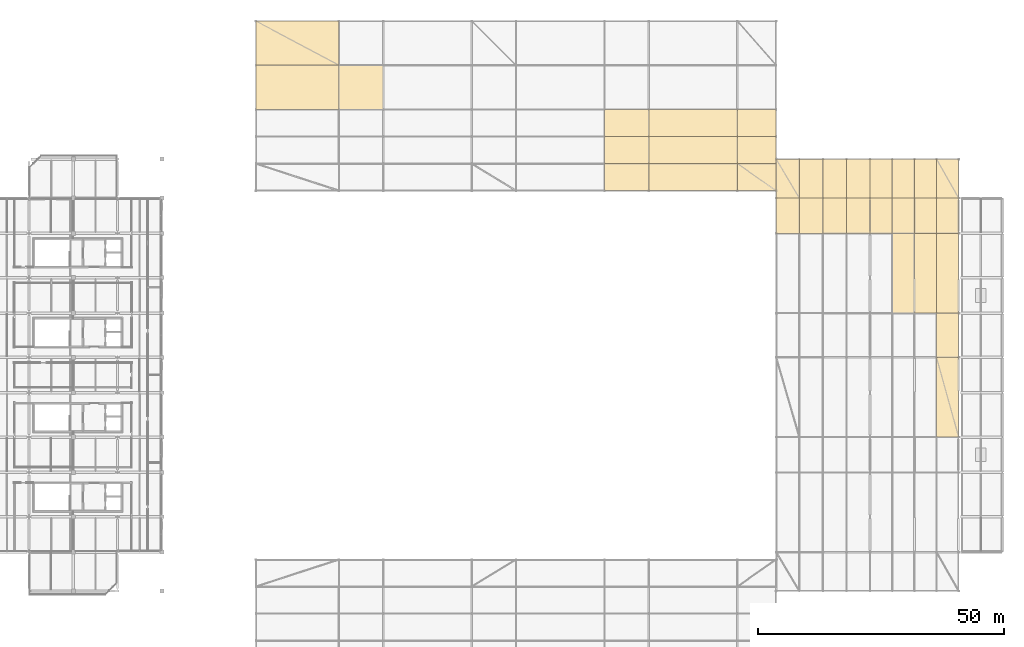
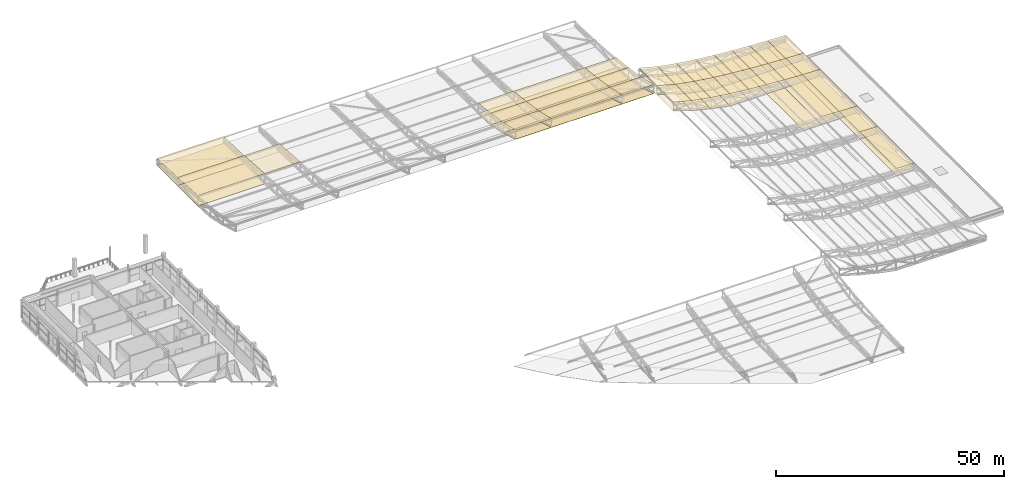
# One storey, part 113 of 114: 64 coverings, 4 elements without a shape of their own.
"""IFC4 building model written with IfcOpenShell, lengths in metres."""

from ifc_helpers import new_model, si_unit, direction, frame, origin, place, context, subcontext, project, spatial, polyline, outline, extrude, material, layer, layer_set, type_object, element, aggregate, save


model = new_model("IFC4")

# Units and contexts
model_context = context("Model", 3, precision=1e-05, world=origin(), true_north=direction((0.0, 1.0)))
body_context = subcontext(model_context, "Body", "Model", "MODEL_VIEW")
ifc_project = project(units=[si_unit("LENGTHUNIT", "METRE"), si_unit("AREAUNIT", "SQUARE_METRE"), si_unit("VOLUMEUNIT", "CUBIC_METRE"), si_unit("PLANEANGLEUNIT", "RADIAN"), si_unit("MASSUNIT", "GRAM", prefix="KILO"), si_unit("THERMODYNAMICTEMPERATUREUNIT", "KELVIN"), si_unit("POWERUNIT", "WATT")], contexts=[model_context])

# Site, building, storey
site_placement = place(None, origin())
site = spatial("IfcSite", under=ifc_project, at=site_placement, CompositionType="ELEMENT")
building_placement = place(site_placement, origin())
building = spatial("IfcBuilding", under=site, at=building_placement, Name="Sindhuravela Promenade Stadium", CompositionType="ELEMENT")
storey_placement = place(building_placement, frame((0.0, 0.0, 24.0)))
storey = spatial("IfcBuildingStorey", under=building, at=storey_placement, Name="L05", CompositionType="ELEMENT", Elevation=24.0)

# Roof, covering
ifc_material_1 = material(Name="Standing-seam zinc-aluminium roof sheet", Category="aluminium")
roof_type_1 = type_object("IfcRoofType", Name="RF-BARREL-E", PredefinedType="BARREL_ROOF", material=ifc_material_1)
roof_1_placement = place(storey_placement, origin())
roof_1 = element("IfcRoof", 1, at=roof_1_placement, inside=storey, type_object=roof_type_1, Name="Cantilevered stand roof assembly E-1", PredefinedType="BARREL_ROOF")
ifc_layer_1 = layer(ifc_material_1, 0.044921875)
ifc_layer_set_1 = layer_set([ifc_layer_1], Name="Standing-seam zinc-aluminium roof sheet")
covering_type_1 = type_object("IfcCoveringType", Name="CV-ROOF-E", PredefinedType="ROOFING", material=ifc_layer_set_1)
covering_1_placement = place(storey_placement, frame((198.0, 68.39990234375, 1.530029296875), z_axis=(0.029013388526599376, 0.0, 0.9995790230322986), x_axis=(0.0, 1.0, 0.0)))
covering_1 = element("IfcCovering", 2, at=covering_1_placement, type_object=covering_type_1, Name="Standing-seam roof covering E bay 4.1", PredefinedType="ROOFING", context=body_context, shape_type="SweptSolid", body=[
    extrude(outline(polyline([(0.0, 0.0), (16.2001953125, 0.0), (16.2001953125, 4.5018951941877585), (0.0, 4.5018951941877585), (0.0, 0.0)])), origin(), (0.0, 0.0, -1.0), 0.044921875),
])
aggregate(roof_1, [covering_1])

# Roof, coverings
roof_2_placement = place(storey_placement, origin())
roof_2 = element("IfcRoof", 3, at=roof_2_placement, inside=storey, type_object=roof_type_1, Name="Cantilevered stand roof assembly E-2", PredefinedType="BARREL_ROOF")
covering_2_placement = place(storey_placement, frame((198.0, 84.60009765625, 1.530029296875), z_axis=(0.02901338852659938, 0.0, 0.9995790230322986), x_axis=(0.0, 1.0, 0.0)))
covering_2 = element("IfcCovering", 4, at=covering_2_placement, type_object=covering_type_1, Name="Standing-seam roof covering E bay 5.1", PredefinedType="ROOFING", context=body_context, shape_type="SweptSolid", body=[
    extrude(outline(polyline([(0.0, 0.0), (9.0, 0.0), (9.0, 4.5018951941877585), (0.0, 4.5018951941877585), (0.0, 0.0)])), origin(), (0.0, 0.0, -1.0), 0.044921875),
])
covering_3_placement = place(storey_placement, frame((198.0, 93.60009765625, 1.530029296875), z_axis=(0.029013388526599376, 0.0, 0.9995790230322985), x_axis=(0.0, 1.0, 0.0)))
covering_3 = element("IfcCovering", 5, at=covering_3_placement, type_object=covering_type_1, Name="Standing-seam roof covering E bay 6.1", PredefinedType="ROOFING", context=body_context, shape_type="SweptSolid", body=[
    extrude(outline(polyline([(0.0, 0.0), (16.199951171875, 0.0), (16.199951171875, 4.501895194187758), (0.0, 4.501895194187758), (0.0, 0.0)])), origin(), (0.0, 0.0, -1.0), 0.044921875),
])
covering_4_placement = place(storey_placement, frame((193.5, 93.60009765625, 1.66064453125), z_axis=(0.044011133083803756, 0.0, 0.9990310406412203), x_axis=(0.0, 1.0, 0.0)))
covering_4 = element("IfcCovering", 6, at=covering_4_placement, type_object=covering_type_1, Name="Standing-seam roof covering E bay 6.2", PredefinedType="ROOFING", context=body_context, shape_type="SweptSolid", body=[
    extrude(outline(polyline([(0.0, 0.0), (16.199951171875, 0.0), (16.199951171875, 4.504364546182378), (0.0, 4.504364546182378), (0.0, 0.0)])), origin(), (0.0, 0.0, -1.0), 0.044921875),
])
covering_5_placement = place(storey_placement, frame((198.0, 109.800048828125, 1.530029296875), z_axis=(0.02901338852659938, 0.0, 0.9995790230322986), x_axis=(0.0, 1.0, 0.0)))
covering_5 = element("IfcCovering", 7, at=covering_5_placement, type_object=covering_type_1, Name="Standing-seam roof covering E bay 7.1", PredefinedType="ROOFING", context=body_context, shape_type="SweptSolid", body=[
    extrude(outline(polyline([(0.0, 0.0), (7.199951171875, 0.0), (7.199951171875, 4.5018951941877585), (0.0, 4.5018951941877585), (0.0, 0.0)])), origin(), (0.0, 0.0, -1.0), 0.044921875),
])
covering_6_placement = place(storey_placement, frame((193.5, 109.800048828125, 1.66064453125), z_axis=(0.04401113308380376, 0.0, 0.9990310406412204), x_axis=(0.0, 1.0, 0.0)))
covering_6 = element("IfcCovering", 8, at=covering_6_placement, type_object=covering_type_1, Name="Standing-seam roof covering E bay 7.2", PredefinedType="ROOFING", context=body_context, shape_type="SweptSolid", body=[
    extrude(outline(polyline([(0.0, 0.0), (7.199951171875, 0.0), (7.199951171875, 4.504364546182379), (0.0, 4.504364546182379), (0.0, 0.0)])), origin(), (0.0, 0.0, -1.0), 0.044921875),
])
covering_7_placement = place(storey_placement, frame((189.0, 109.800048828125, 1.85888671875), z_axis=(0.060436199081064255, 0.0, 0.9981720622420935), x_axis=(0.0, 1.0, 0.0)))
covering_7 = element("IfcCovering", 9, at=covering_7_placement, type_object=covering_type_1, Name="Standing-seam roof covering E bay 7.3", PredefinedType="ROOFING", context=body_context, shape_type="SweptSolid", body=[
    extrude(outline(polyline([(0.0, 0.0), (7.199951171875, 0.0), (7.199951171875, 4.508240783549985), (0.0, 4.508240783549985), (0.0, 0.0)])), origin(), (0.0, 0.0, -1.0), 0.044921875),
])
covering_8_placement = place(storey_placement, frame((184.5, 109.800048828125, 2.13134765625), z_axis=(0.07896274138457582, 0.0, 0.9968775679455489), x_axis=(0.0, 1.0, 0.0)))
covering_8 = element("IfcCovering", 10, at=covering_8_placement, type_object=covering_type_1, Name="Standing-seam roof covering E bay 7.4", PredefinedType="ROOFING", context=body_context, shape_type="SweptSolid", body=[
    extrude(outline(polyline([(0.0, 0.0), (7.199951171875, 0.0), (7.199951171875, 4.514094954783652), (0.0, 4.514094954783652), (0.0, 0.0)])), origin(), (0.0, 0.0, -1.0), 0.044921875),
])
covering_9_placement = place(storey_placement, frame((180.0, 109.800048828125, 2.48779296875), z_axis=(0.10190304617894301, 0.0, 0.9947943351162852), x_axis=(0.0, 1.0, 0.0)))
covering_9 = element("IfcCovering", 11, at=covering_9_placement, type_object=covering_type_1, Name="Standing-seam roof covering E bay 7.5", PredefinedType="ROOFING", context=body_context, shape_type="SweptSolid", body=[
    extrude(outline(polyline([(0.0, 0.0), (7.199951171875, 0.0), (7.199951171875, 4.825167030694745), (0.0, 4.825167030694745), (0.0, 0.0)])), origin(), (0.0, 0.0, -1.0), 0.044921875),
])
covering_10_placement = place(storey_placement, frame((175.199951171875, 109.800048828125, 2.9794921875), z_axis=(0.1322396730802035, 0.0, 0.9912177706556925), x_axis=(0.0, 1.0, 0.0)))
covering_10 = element("IfcCovering", 12, at=covering_10_placement, type_object=covering_type_1, Name="Standing-seam roof covering E bay 7.6", PredefinedType="ROOFING", context=body_context, shape_type="SweptSolid", body=[
    extrude(outline(polyline([(0.0, 0.0), (7.199951171875, 0.0), (7.199951171875, 4.842577453943101), (0.0, 4.842577453943101), (0.0, 0.0)])), origin(), (0.0, 0.0, -1.0), 0.044921875),
])
covering_11_placement = place(storey_placement, frame((170.39990234375, 109.800048828125, 3.619873046875), z_axis=(0.17653223173388988, 0.0, 0.9842948598662152), x_axis=(0.0, 1.0, 0.0)))
covering_11 = element("IfcCovering", 13, at=covering_11_placement, type_object=covering_type_1, Name="Standing-seam roof covering E bay 7.7", PredefinedType="ROOFING", context=body_context, shape_type="SweptSolid", body=[
    extrude(outline(polyline([(0.0, 0.0), (7.199951171875, 0.0), (7.199951171875, 4.876389061050656), (0.0, 4.876389061050656), (0.0, 0.0)])), origin(), (0.0, 0.0, -1.0), 0.044921875),
])
covering_12_placement = place(storey_placement, frame((165.60009765625, 109.800048828125, 4.480712890625), z_axis=(0.2568720746349965, 0.0, 0.9664454134987205), x_axis=(0.0, 1.0, 0.0)))
covering_12 = element("IfcCovering", 14, at=covering_12_placement, type_object=covering_type_1, Name="Standing-seam roof covering E bay 7.8", PredefinedType="ROOFING", context=body_context, shape_type="SweptSolid", body=[
    extrude(outline(polyline([(0.0, 0.0), (7.199951171875, 0.0), (7.199951171875, 4.8633841568810166), (0.0, 4.8633841568810166), (0.0, 0.0)])), origin(), (0.0, 0.0, -1.0), 0.044921875),
])
covering_13_placement = place(storey_placement, frame((198.0, 117.0, 1.530029296875), z_axis=(0.029013388526599376, 0.0, 0.9995790230322985), x_axis=(0.0, 1.0, 0.0)))
covering_13 = element("IfcCovering", 15, at=covering_13_placement, type_object=covering_type_1, Name="Standing-seam roof covering E bay 8.1", PredefinedType="ROOFING", context=body_context, shape_type="SweptSolid", body=[
    extrude(outline(polyline([(0.0, 0.0), (7.89990234375, 0.0), (7.89990234375, 4.501895194187758), (0.0, 4.501895194187758), (0.0, 0.0)])), origin(), (0.0, 0.0, -1.0), 0.044921875),
])
covering_14_placement = place(storey_placement, frame((193.5, 117.0, 1.66064453125), z_axis=(0.044011133083803756, 0.0, 0.9990310406412203), x_axis=(0.0, 1.0, 0.0)))
covering_14 = element("IfcCovering", 16, at=covering_14_placement, type_object=covering_type_1, Name="Standing-seam roof covering E bay 8.2", PredefinedType="ROOFING", context=body_context, shape_type="SweptSolid", body=[
    extrude(outline(polyline([(0.0, 0.0), (7.89990234375, 0.0), (7.89990234375, 4.504364546182378), (0.0, 4.504364546182378), (0.0, 0.0)])), origin(), (0.0, 0.0, -1.0), 0.044921875),
])
covering_15_placement = place(storey_placement, frame((189.0, 117.0, 1.85888671875), z_axis=(0.060436199081064255, 0.0, 0.9981720622420935), x_axis=(0.0, 1.0, 0.0)))
covering_15 = element("IfcCovering", 17, at=covering_15_placement, type_object=covering_type_1, Name="Standing-seam roof covering E bay 8.3", PredefinedType="ROOFING", context=body_context, shape_type="SweptSolid", body=[
    extrude(outline(polyline([(0.0, 0.0), (7.89990234375, 0.0), (7.89990234375, 4.508240783549985), (0.0, 4.508240783549985), (0.0, 0.0)])), origin(), (0.0, 0.0, -1.0), 0.044921875),
])
covering_16_placement = place(storey_placement, frame((184.5, 117.0, 2.13134765625), z_axis=(0.07896274138457582, 0.0, 0.996877567945549), x_axis=(0.0, 1.0, 0.0)))
covering_16 = element("IfcCovering", 18, at=covering_16_placement, type_object=covering_type_1, Name="Standing-seam roof covering E bay 8.4", PredefinedType="ROOFING", context=body_context, shape_type="SweptSolid", body=[
    extrude(outline(polyline([(0.0, 0.0), (7.89990234375, 0.0), (7.89990234375, 4.514094954783653), (0.0, 4.514094954783653), (0.0, 0.0)])), origin(), (0.0, 0.0, -1.0), 0.044921875),
])
covering_17_placement = place(storey_placement, frame((180.0, 117.0, 2.48779296875), z_axis=(0.10190304617894302, 0.0, 0.9947943351162855), x_axis=(0.0, 1.0, 0.0)))
covering_17 = element("IfcCovering", 19, at=covering_17_placement, type_object=covering_type_1, Name="Standing-seam roof covering E bay 8.5", PredefinedType="ROOFING", context=body_context, shape_type="SweptSolid", body=[
    extrude(outline(polyline([(0.0, 0.0), (7.89990234375, 0.0), (7.89990234375, 4.825167030694747), (0.0, 4.825167030694747), (0.0, 0.0)])), origin(), (0.0, 0.0, -1.0), 0.044921875),
])
covering_18_placement = place(storey_placement, frame((175.199951171875, 117.0, 2.9794921875), z_axis=(0.1322396730802035, 0.0, 0.9912177706556925), x_axis=(0.0, 1.0, 0.0)))
covering_18 = element("IfcCovering", 20, at=covering_18_placement, type_object=covering_type_1, Name="Standing-seam roof covering E bay 8.6", PredefinedType="ROOFING", context=body_context, shape_type="SweptSolid", body=[
    extrude(outline(polyline([(0.0, 0.0), (7.89990234375, 0.0), (7.89990234375, 4.842577453943101), (0.0, 4.842577453943101), (0.0, 0.0)])), origin(), (0.0, 0.0, -1.0), 0.044921875),
])
covering_19_placement = place(storey_placement, frame((170.39990234375, 117.0, 3.619873046875), z_axis=(0.17653223173388988, 0.0, 0.9842948598662152), x_axis=(0.0, 1.0, 0.0)))
covering_19 = element("IfcCovering", 21, at=covering_19_placement, type_object=covering_type_1, Name="Standing-seam roof covering E bay 8.7", PredefinedType="ROOFING", context=body_context, shape_type="SweptSolid", body=[
    extrude(outline(polyline([(0.0, 0.0), (7.89990234375, 0.0), (7.89990234375, 4.876389061050656), (0.0, 4.876389061050656), (0.0, 0.0)])), origin(), (0.0, 0.0, -1.0), 0.044921875),
])
covering_20_placement = place(storey_placement, frame((165.60009765625, 117.0, 4.480712890625), z_axis=(0.2568720746349965, 0.0, 0.9664454134987204), x_axis=(0.0, 1.0, 0.0)))
covering_20 = element("IfcCovering", 22, at=covering_20_placement, type_object=covering_type_1, Name="Standing-seam roof covering E bay 8.8", PredefinedType="ROOFING", context=body_context, shape_type="SweptSolid", body=[
    extrude(outline(polyline([(0.0, 0.0), (7.89990234375, 0.0), (7.89990234375, 4.8633841568810166), (0.0, 4.8633841568810166), (0.0, 0.0)])), origin(), (0.0, 0.0, -1.0), 0.044921875),
])
aggregate(roof_2, [covering_2, covering_3, covering_4, covering_5, covering_6, covering_7, covering_8, covering_9, covering_10, covering_11, covering_12, covering_13, covering_14, covering_15, covering_16, covering_17, covering_18, covering_19, covering_20])

roof_type_2 = type_object("IfcRoofType", Name="RF-BARREL-N", PredefinedType="BARREL_ROOF", material=ifc_material_1)
roof_3_placement = place(storey_placement, origin())
roof_3 = element("IfcRoof", 23, at=roof_3_placement, inside=storey, type_object=roof_type_2, Name="Cantilevered stand roof assembly N-1", PredefinedType="BARREL_ROOF")
ifc_layer_2 = layer(ifc_material_1, 0.044921875)
ifc_layer_set_2 = layer_set([ifc_layer_2], Name="Standing-seam zinc-aluminium roof sheet")
covering_type_2 = type_object("IfcCoveringType", Name="CV-ROOF-N", PredefinedType="ROOFING", material=ifc_layer_set_2)
covering_21_placement = place(storey_placement, frame((55.10009765625, 153.0, 1.510009765625), z_axis=(0.0, 0.03632583546850814, 0.9993399990381224), x_axis=(1.0, 0.0, 0.0)))
covering_21 = element("IfcCovering", 24, at=covering_21_placement, type_object=covering_type_2, Name="Standing-seam roof covering N bay 1.1", PredefinedType="ROOFING", context=body_context, shape_type="SweptSolid", body=[
    extrude(outline(polyline([(0.0, 0.0), (0.0, -9.005943931657507), (16.89990234375, -9.005943931657507), (16.89990234375, 0.0), (0.0, 0.0)])), origin(), (0.0, 0.0, -1.0), 0.044921875),
])
covering_22_placement = place(storey_placement, frame((55.10009765625, 144.0, 1.837158203125), z_axis=(0.0, 0.07048937017679614, 0.9975125305940165), x_axis=(1.0, 0.0, 0.0)))
covering_22 = element("IfcCovering", 25, at=covering_22_placement, type_object=covering_type_2, Name="Standing-seam roof covering N bay 1.2", PredefinedType="ROOFING", context=body_context, shape_type="SweptSolid", body=[
    extrude(outline(polyline([(0.0, 0.0), (0.0, -9.022443051056733), (16.89990234375, -9.022443051056733), (16.89990234375, 0.0), (0.0, 0.0)])), origin(), (0.0, 0.0, -1.0), 0.044921875),
])
covering_23_placement = place(storey_placement, frame((72.0, 144.0, 1.837158203125), z_axis=(0.0, 0.07048937017679614, 0.9975125305940165), x_axis=(1.0, 0.0, 0.0)))
covering_23 = element("IfcCovering", 26, at=covering_23_placement, type_object=covering_type_2, Name="Standing-seam roof covering N bay 2.2", PredefinedType="ROOFING", context=body_context, shape_type="SweptSolid", body=[
    extrude(outline(polyline([(0.0, 0.0), (0.0, -9.022443051056733), (9.0, -9.022443051056733), (9.0, 0.0), (0.0, 0.0)])), origin(), (0.0, 0.0, -1.0), 0.044921875),
])
aggregate(roof_3, [covering_21, covering_22, covering_23])

roof_4_placement = place(storey_placement, origin())
roof_4 = element("IfcRoof", 27, at=roof_4_placement, inside=storey, type_object=roof_type_2, Name="Cantilevered stand roof assembly N-2", PredefinedType="BARREL_ROOF")
covering_24_placement = place(storey_placement, frame((126.0, 135.0, 2.47314453125), z_axis=(0.0, 0.1065455909441987, 0.9943078180575428), x_axis=(1.0, 0.0, 0.0)))
covering_24 = element("IfcCovering", 28, at=covering_24_placement, type_object=covering_type_2, Name="Standing-seam roof covering N bay 6.3", PredefinedType="ROOFING", context=body_context, shape_type="SweptSolid", body=[
    extrude(outline(polyline([(0.0, 0.0), (0.0, -5.531486226010649), (9.0, -5.531486226010649), (9.0, 0.0), (0.0, 0.0)])), origin(), (0.0, 0.0, -1.0), 0.044921875),
])
covering_25_placement = place(storey_placement, frame((126.0, 129.5, 3.0625), z_axis=(0.0, 0.14687168523012892, 0.9891555530237203), x_axis=(1.0, 0.0, 0.0)))
covering_25 = element("IfcCovering", 29, at=covering_25_placement, type_object=covering_type_2, Name="Standing-seam roof covering N bay 6.4", PredefinedType="ROOFING", context=body_context, shape_type="SweptSolid", body=[
    extrude(outline(polyline([(0.0, 0.0), (0.0, -5.560298360745398), (9.0, -5.560298360745398), (9.0, 0.0), (0.0, 0.0)])), origin(), (0.0, 0.0, -1.0), 0.044921875),
])
covering_26_placement = place(storey_placement, frame((126.0, 124.0, 3.879150390625), z_axis=(0.0, 0.2184070831753663, 0.9758577488644689), x_axis=(1.0, 0.0, 0.0)))
covering_26 = element("IfcCovering", 30, at=covering_26_placement, type_object=covering_type_2, Name="Standing-seam roof covering N bay 6.5", PredefinedType="ROOFING", context=body_context, shape_type="SweptSolid", body=[
    extrude(outline(polyline([(0.0, 0.0), (0.0, -5.6360673534640995), (9.0, -5.6360673534640995), (9.0, 0.0), (0.0, 0.0)])), origin(), (0.0, 0.0, -1.0), 0.044921875),
])
covering_27_placement = place(storey_placement, frame((135.0, 135.0, 2.47314453125), z_axis=(0.0, 0.1065455909441987, 0.9943078180575428), x_axis=(1.0, 0.0, 0.0)))
covering_27 = element("IfcCovering", 31, at=covering_27_placement, type_object=covering_type_2, Name="Standing-seam roof covering N bay 7.3", PredefinedType="ROOFING", context=body_context, shape_type="SweptSolid", body=[
    extrude(outline(polyline([(0.0, 0.0), (0.0, -5.531486226010649), (18.0, -5.531486226010649), (18.0, 0.0), (0.0, 0.0)])), origin(), (0.0, 0.0, -1.0), 0.044921875),
])
covering_28_placement = place(storey_placement, frame((135.0, 129.5, 3.0625), z_axis=(0.0, 0.14687168523012892, 0.9891555530237203), x_axis=(1.0, 0.0, 0.0)))
covering_28 = element("IfcCovering", 32, at=covering_28_placement, type_object=covering_type_2, Name="Standing-seam roof covering N bay 7.4", PredefinedType="ROOFING", context=body_context, shape_type="SweptSolid", body=[
    extrude(outline(polyline([(0.0, 0.0), (0.0, -5.560298360745398), (18.0, -5.560298360745398), (18.0, 0.0), (0.0, 0.0)])), origin(), (0.0, 0.0, -1.0), 0.044921875),
])
covering_29_placement = place(storey_placement, frame((135.0, 124.0, 3.879150390625), z_axis=(0.0, 0.2184070831753663, 0.9758577488644689), x_axis=(1.0, 0.0, 0.0)))
covering_29 = element("IfcCovering", 33, at=covering_29_placement, type_object=covering_type_2, Name="Standing-seam roof covering N bay 7.5", PredefinedType="ROOFING", context=body_context, shape_type="SweptSolid", body=[
    extrude(outline(polyline([(0.0, 0.0), (0.0, -5.6360673534640995), (18.0, -5.6360673534640995), (18.0, 0.0), (0.0, 0.0)])), origin(), (0.0, 0.0, -1.0), 0.044921875),
])
covering_30_placement = place(storey_placement, frame((153.0, 135.0, 2.47314453125), z_axis=(0.0, 0.10654559094419869, 0.9943078180575426), x_axis=(1.0, 0.0, 0.0)))
covering_30 = element("IfcCovering", 34, at=covering_30_placement, type_object=covering_type_2, Name="Standing-seam roof covering N bay 8.3", PredefinedType="ROOFING", context=body_context, shape_type="SweptSolid", body=[
    extrude(outline(polyline([(0.0, 0.0), (0.0, -5.5314862260106485), (7.89990234375, -5.5314862260106485), (7.89990234375, 0.0), (0.0, 0.0)])), origin(), (0.0, 0.0, -1.0), 0.044921875),
])
covering_31_placement = place(storey_placement, frame((153.0, 129.5, 3.0625), z_axis=(0.0, 0.14687168523012892, 0.9891555530237204), x_axis=(1.0, 0.0, 0.0)))
covering_31 = element("IfcCovering", 35, at=covering_31_placement, type_object=covering_type_2, Name="Standing-seam roof covering N bay 8.4", PredefinedType="ROOFING", context=body_context, shape_type="SweptSolid", body=[
    extrude(outline(polyline([(0.0, 0.0), (0.0, -5.560298360745398), (7.89990234375, -5.560298360745398), (7.89990234375, 0.0), (0.0, 0.0)])), origin(), (0.0, 0.0, -1.0), 0.044921875),
])
covering_32_placement = place(storey_placement, frame((153.0, 124.0, 3.879150390625), z_axis=(0.0, 0.21840708317536628, 0.9758577488644687), x_axis=(1.0, 0.0, 0.0)))
covering_32 = element("IfcCovering", 36, at=covering_32_placement, type_object=covering_type_2, Name="Standing-seam roof covering N bay 8.5", PredefinedType="ROOFING", context=body_context, shape_type="SweptSolid", body=[
    extrude(outline(polyline([(0.0, 0.0), (0.0, -5.6360673534640995), (7.89990234375, -5.6360673534640995), (7.89990234375, 0.0), (0.0, 0.0)])), origin(), (0.0, 0.0, -1.0), 0.044921875),
])
aggregate(roof_4, [covering_24, covering_25, covering_26, covering_27, covering_28, covering_29, covering_30, covering_31, covering_32])

# Coverings
ifc_material_2 = material(Name="White PVDF aluminium soffit cladding", Category="aluminium")
ifc_layer_3 = layer(ifc_material_2, 0.034912109375)
ifc_layer_set_3 = layer_set([ifc_layer_3], Name="White PVDF aluminium soffit cladding")
covering_type_3 = type_object("IfcCoveringType", Name="CV-SOFFIT-E", PredefinedType="CEILING", material=ifc_layer_set_3)
covering_33_placement = place(storey_placement, frame((198.0, 68.39990234375, -0.300048828125), z_axis=(0.0, 0.0, 1.0), x_axis=(0.0, 1.0, 0.0)))
element("IfcCovering", 37, at=covering_33_placement, inside=storey, type_object=covering_type_3, Name="Smooth white canopy soffit cladding E bay 4.1", PredefinedType="CEILING", context=body_context, shape_type="SweptSolid", body=[
    extrude(outline(polyline([(0.0, 0.0), (16.2001953125, 0.0), (16.2001953125, 4.5), (0.0, 4.5), (0.0, 0.0)])), origin(), (0.0, 0.0, -1.0), 0.034912109375),
])
covering_34_placement = place(storey_placement, frame((198.0, 84.60009765625, -0.300048828125), z_axis=(0.0, 0.0, 1.0), x_axis=(0.0, 1.0, 0.0)))
element("IfcCovering", 38, at=covering_34_placement, inside=storey, type_object=covering_type_3, Name="Smooth white canopy soffit cladding E bay 5.1", PredefinedType="CEILING", context=body_context, shape_type="SweptSolid", body=[
    extrude(outline(polyline([(0.0, 0.0), (9.0, 0.0), (9.0, 4.5), (0.0, 4.5), (0.0, 0.0)])), origin(), (0.0, 0.0, -1.0), 0.034912109375),
])
for number, where, z_axis, x_axis, name in (
    (39, (198.0, 93.60009765625, -0.300048828125), (0.0, 0.0, 1.0), (0.0, 1.0, 0.0), "Smooth white canopy soffit cladding E bay 6.1"),
    (40, (193.5, 93.60009765625, -0.300048828125), (0.0, 0.0, 1.0), (0.0, 1.0, 0.0), "Smooth white canopy soffit cladding E bay 6.2"),
    (41, (189.0, 93.60009765625, -0.300048828125), (0.0, 0.0, 1.0), (0.0, 1.0, 0.0), "Smooth white canopy soffit cladding E bay 6.3"),
):
    element("IfcCovering", number, at=place(storey_placement, frame(where, z_axis=z_axis, x_axis=x_axis)), inside=storey, type_object=covering_type_3, Name=name, PredefinedType="CEILING", context=body_context, shape_type="SweptSolid", body=[
        extrude(outline(polyline([(0.0, 0.0), (16.199951171875, 0.0), (16.199951171875, 4.5), (0.0, 4.5), (0.0, 0.0)])), origin(), (0.0, 0.0, -1.0), 0.034912109375),
    ])
for number, where, z_axis, x_axis, name in (
    (42, (198.0, 109.800048828125, -0.300048828125), (0.0, 0.0, 1.0), (0.0, 1.0, 0.0), "Smooth white canopy soffit cladding E bay 7.1"),
    (43, (193.5, 109.800048828125, -0.300048828125), (0.0, 0.0, 1.0), (0.0, 1.0, 0.0), "Smooth white canopy soffit cladding E bay 7.2"),
    (44, (189.0, 109.800048828125, -0.300048828125), (0.0, 0.0, 1.0), (0.0, 1.0, 0.0), "Smooth white canopy soffit cladding E bay 7.3"),
    (45, (184.5, 109.800048828125, -0.300048828125), (0.0, 0.0, 1.0), (0.0, 1.0, 0.0), "Smooth white canopy soffit cladding E bay 7.4"),
):
    element("IfcCovering", number, at=place(storey_placement, frame(where, z_axis=z_axis, x_axis=x_axis)), inside=storey, type_object=covering_type_3, Name=name, PredefinedType="CEILING", context=body_context, shape_type="SweptSolid", body=[
        extrude(outline(polyline([(0.0, 0.0), (7.199951171875, 0.0), (7.199951171875, 4.5), (0.0, 4.5), (0.0, 0.0)])), origin(), (0.0, 0.0, -1.0), 0.034912109375),
    ])
covering_35_placement = place(storey_placement, frame((180.0, 109.800048828125, -0.300048828125), z_axis=(0.006713647583757803, 0.0, 0.9999774632141073), x_axis=(0.0, 1.0, 0.0)))
element("IfcCovering", 46, at=covering_35_placement, inside=storey, type_object=covering_type_3, Name="Smooth white canopy soffit cladding E bay 7.5", PredefinedType="CEILING", context=body_context, shape_type="SweptSolid", body=[
    extrude(outline(polyline([(0.0, 0.0), (7.199951171875, 0.0), (7.199951171875, 4.800157008235747), (0.0, 4.800157008235747), (0.0, 0.0)])), origin(), (0.0, 0.0, -1.0), 0.034912109375),
])
covering_36_placement = place(storey_placement, frame((175.199951171875, 109.800048828125, -0.267822265625), z_axis=(0.18884924617406632, 0.0, 0.9820060907242311), x_axis=(0.0, 1.0, 0.0)))
element("IfcCovering", 47, at=covering_36_placement, inside=storey, type_object=covering_type_3, Name="Smooth white canopy soffit cladding E bay 7.6", PredefinedType="CEILING", context=body_context, shape_type="SweptSolid", body=[
    extrude(outline(polyline([(0.0, 0.0), (7.199951171875, 0.0), (7.199951171875, 4.8880031126741335), (0.0, 4.8880031126741335), (0.0, 0.0)])), origin(), (0.0, 0.0, -1.0), 0.034912109375),
])
covering_37_placement = place(storey_placement, frame((170.39990234375, 109.800048828125, 0.6552734375), z_axis=(0.2318100516051311, 0.0, 0.9727610703429834), x_axis=(0.0, 1.0, 0.0)))
element("IfcCovering", 48, at=covering_37_placement, inside=storey, type_object=covering_type_3, Name="Smooth white canopy soffit cladding E bay 7.7", PredefinedType="CEILING", context=body_context, shape_type="SweptSolid", body=[
    extrude(outline(polyline([(0.0, 0.0), (7.199951171875, 0.0), (7.199951171875, 4.934207210623314), (0.0, 4.934207210623314), (0.0, 0.0)])), origin(), (0.0, 0.0, -1.0), 0.034912109375),
])
covering_38_placement = place(storey_placement, frame((165.60009765625, 109.800048828125, 1.799072265625), z_axis=(0.308777732190374, 0.0, 0.951134224020653), x_axis=(0.0, 1.0, 0.0)))
element("IfcCovering", 49, at=covering_38_placement, inside=storey, type_object=covering_type_3, Name="Smooth white canopy soffit cladding E bay 7.8", PredefinedType="CEILING", context=body_context, shape_type="SweptSolid", body=[
    extrude(outline(polyline([(0.0, 0.0), (7.199951171875, 0.0), (7.199951171875, 4.941674049569201), (0.0, 4.941674049569201), (0.0, 0.0)])), origin(), (0.0, 0.0, -1.0), 0.034912109375),
])
for number, where, z_axis, x_axis, name in (
    (50, (198.0, 117.0, -0.300048828125), (0.0, 0.0, 1.0), (0.0, 1.0, 0.0), "Smooth white canopy soffit cladding E bay 8.1"),
    (51, (193.5, 117.0, -0.300048828125), (0.0, 0.0, 1.0), (0.0, 1.0, 0.0), "Smooth white canopy soffit cladding E bay 8.2"),
    (52, (189.0, 117.0, -0.300048828125), (0.0, 0.0, 1.0), (0.0, 1.0, 0.0), "Smooth white canopy soffit cladding E bay 8.3"),
    (53, (184.5, 117.0, -0.300048828125), (0.0, 0.0, 1.0), (0.0, 1.0, 0.0), "Smooth white canopy soffit cladding E bay 8.4"),
):
    element("IfcCovering", number, at=place(storey_placement, frame(where, z_axis=z_axis, x_axis=x_axis)), inside=storey, type_object=covering_type_3, Name=name, PredefinedType="CEILING", context=body_context, shape_type="SweptSolid", body=[
        extrude(outline(polyline([(0.0, 0.0), (7.89990234375, 0.0), (7.89990234375, 4.5), (0.0, 4.5), (0.0, 0.0)])), origin(), (0.0, 0.0, -1.0), 0.034912109375),
    ])
covering_39_placement = place(storey_placement, frame((180.0, 117.0, -0.300048828125), z_axis=(0.006713647583757802, 0.0, 0.9999774632141072), x_axis=(0.0, 1.0, 0.0)))
element("IfcCovering", 54, at=covering_39_placement, inside=storey, type_object=covering_type_3, Name="Smooth white canopy soffit cladding E bay 8.5", PredefinedType="CEILING", context=body_context, shape_type="SweptSolid", body=[
    extrude(outline(polyline([(0.0, 0.0), (7.89990234375, 0.0), (7.89990234375, 4.800157008235746), (0.0, 4.800157008235746), (0.0, 0.0)])), origin(), (0.0, 0.0, -1.0), 0.034912109375),
])
covering_40_placement = place(storey_placement, frame((175.199951171875, 117.0, -0.267822265625), z_axis=(0.18884924617406632, 0.0, 0.9820060907242312), x_axis=(0.0, 1.0, 0.0)))
element("IfcCovering", 55, at=covering_40_placement, inside=storey, type_object=covering_type_3, Name="Smooth white canopy soffit cladding E bay 8.6", PredefinedType="CEILING", context=body_context, shape_type="SweptSolid", body=[
    extrude(outline(polyline([(0.0, 0.0), (7.89990234375, 0.0), (7.89990234375, 4.888003112674134), (0.0, 4.888003112674134), (0.0, 0.0)])), origin(), (0.0, 0.0, -1.0), 0.034912109375),
])
covering_41_placement = place(storey_placement, frame((170.39990234375, 117.0, 0.6552734375), z_axis=(0.23181005160513107, 0.0, 0.9727610703429833), x_axis=(0.0, 1.0, 0.0)))
element("IfcCovering", 56, at=covering_41_placement, inside=storey, type_object=covering_type_3, Name="Smooth white canopy soffit cladding E bay 8.7", PredefinedType="CEILING", context=body_context, shape_type="SweptSolid", body=[
    extrude(outline(polyline([(0.0, 0.0), (7.89990234375, 0.0), (7.89990234375, 4.934207210623313), (0.0, 4.934207210623313), (0.0, 0.0)])), origin(), (0.0, 0.0, -1.0), 0.034912109375),
])
covering_42_placement = place(storey_placement, frame((165.60009765625, 117.0, 1.799072265625), z_axis=(0.308777732190374, 0.0, 0.951134224020653), x_axis=(0.0, 1.0, 0.0)))
element("IfcCovering", 57, at=covering_42_placement, inside=storey, type_object=covering_type_3, Name="Smooth white canopy soffit cladding E bay 8.8", PredefinedType="CEILING", context=body_context, shape_type="SweptSolid", body=[
    extrude(outline(polyline([(0.0, 0.0), (7.89990234375, 0.0), (7.89990234375, 4.941674049569201), (0.0, 4.941674049569201), (0.0, 0.0)])), origin(), (0.0, 0.0, -1.0), 0.034912109375),
])
ifc_layer_4 = layer(ifc_material_2, 0.034912109375)
ifc_layer_set_4 = layer_set([ifc_layer_4], Name="White PVDF aluminium soffit cladding")
covering_type_4 = type_object("IfcCoveringType", Name="CV-SOFFIT-N", PredefinedType="CEILING", material=ifc_layer_set_4)
for number, where, z_axis, x_axis, name in (
    (58, (55.10009765625, 153.0, -0.300048828125), (0.0, 0.0, 1.0), (1.0, 0.0, 0.0), "Smooth white canopy soffit cladding N bay 1.1"),
    (59, (55.10009765625, 144.0, -0.300048828125), (0.0, 0.0, 1.0), (1.0, 0.0, 0.0), "Smooth white canopy soffit cladding N bay 1.2"),
):
    element("IfcCovering", number, at=place(storey_placement, frame(where, z_axis=z_axis, x_axis=x_axis)), inside=storey, type_object=covering_type_4, Name=name, PredefinedType="CEILING", context=body_context, shape_type="SweptSolid", body=[
        extrude(outline(polyline([(0.0, 0.0), (0.0, -9.0), (16.89990234375, -9.0), (16.89990234375, 0.0), (0.0, 0.0)])), origin(), (0.0, 0.0, -1.0), 0.034912109375),
    ])
covering_43_placement = place(storey_placement, frame((126.0, 135.0, -0.300048828125), z_axis=(0.0, 0.04133538022189949, 0.9991453279387894), x_axis=(1.0, 0.0, 0.0)))
element("IfcCovering", 60, at=covering_43_placement, inside=storey, type_object=covering_type_4, Name="Smooth white canopy soffit cladding N bay 6.3", PredefinedType="CEILING", context=body_context, shape_type="SweptSolid", body=[
    extrude(outline(polyline([(0.0, 0.0), (0.0, -5.5047047173271135), (9.0, -5.5047047173271135), (9.0, 0.0), (0.0, 0.0)])), origin(), (0.0, 0.0, -1.0), 0.034912109375),
])
covering_44_placement = place(storey_placement, frame((126.0, 129.5, -0.072509765625), z_axis=(0.0, 0.21175058451368897, 0.9773237385626685), x_axis=(1.0, 0.0, 0.0)))
element("IfcCovering", 61, at=covering_44_placement, inside=storey, type_object=covering_type_4, Name="Smooth white canopy soffit cladding N bay 6.4", PredefinedType="CEILING", context=body_context, shape_type="SweptSolid", body=[
    extrude(outline(polyline([(0.0, 0.0), (0.0, -5.627613228845486), (9.0, -5.627613228845486), (9.0, 0.0), (0.0, 0.0)])), origin(), (0.0, 0.0, -1.0), 0.034912109375),
])
covering_45_placement = place(storey_placement, frame((126.0, 124.0, 1.119140625), z_axis=(0.0, 0.28028796219145374, 0.9599159641606978), x_axis=(1.0, 0.0, 0.0)))
element("IfcCovering", 62, at=covering_45_placement, inside=storey, type_object=covering_type_4, Name="Smooth white canopy soffit cladding N bay 6.5", PredefinedType="CEILING", context=body_context, shape_type="SweptSolid", body=[
    extrude(outline(polyline([(0.0, 0.0), (0.0, -5.729668226539937), (9.0, -5.729668226539937), (9.0, 0.0), (0.0, 0.0)])), origin(), (0.0, 0.0, -1.0), 0.034912109375),
])
covering_46_placement = place(storey_placement, frame((135.0, 135.0, -0.300048828125), z_axis=(0.0, 0.04133538022189949, 0.9991453279387894), x_axis=(1.0, 0.0, 0.0)))
element("IfcCovering", 63, at=covering_46_placement, inside=storey, type_object=covering_type_4, Name="Smooth white canopy soffit cladding N bay 7.3", PredefinedType="CEILING", context=body_context, shape_type="SweptSolid", body=[
    extrude(outline(polyline([(0.0, 0.0), (0.0, -5.5047047173271135), (18.0, -5.5047047173271135), (18.0, 0.0), (0.0, 0.0)])), origin(), (0.0, 0.0, -1.0), 0.034912109375),
])
covering_47_placement = place(storey_placement, frame((135.0, 129.5, -0.072509765625), z_axis=(0.0, 0.21175058451368897, 0.9773237385626685), x_axis=(1.0, 0.0, 0.0)))
element("IfcCovering", 64, at=covering_47_placement, inside=storey, type_object=covering_type_4, Name="Smooth white canopy soffit cladding N bay 7.4", PredefinedType="CEILING", context=body_context, shape_type="SweptSolid", body=[
    extrude(outline(polyline([(0.0, 0.0), (0.0, -5.627613228845486), (18.0, -5.627613228845486), (18.0, 0.0), (0.0, 0.0)])), origin(), (0.0, 0.0, -1.0), 0.034912109375),
])
covering_48_placement = place(storey_placement, frame((135.0, 124.0, 1.119140625), z_axis=(0.0, 0.28028796219145374, 0.9599159641606978), x_axis=(1.0, 0.0, 0.0)))
element("IfcCovering", 65, at=covering_48_placement, inside=storey, type_object=covering_type_4, Name="Smooth white canopy soffit cladding N bay 7.5", PredefinedType="CEILING", context=body_context, shape_type="SweptSolid", body=[
    extrude(outline(polyline([(0.0, 0.0), (0.0, -5.729668226539937), (18.0, -5.729668226539937), (18.0, 0.0), (0.0, 0.0)])), origin(), (0.0, 0.0, -1.0), 0.034912109375),
])
covering_49_placement = place(storey_placement, frame((153.0, 135.0, -0.300048828125), z_axis=(0.0, 0.04133538022189949, 0.9991453279387893), x_axis=(1.0, 0.0, 0.0)))
element("IfcCovering", 66, at=covering_49_placement, inside=storey, type_object=covering_type_4, Name="Smooth white canopy soffit cladding N bay 8.3", PredefinedType="CEILING", context=body_context, shape_type="SweptSolid", body=[
    extrude(outline(polyline([(0.0, 0.0), (0.0, -5.504704717327113), (7.89990234375, -5.504704717327113), (7.89990234375, 0.0), (0.0, 0.0)])), origin(), (0.0, 0.0, -1.0), 0.034912109375),
])
covering_50_placement = place(storey_placement, frame((153.0, 129.5, -0.072509765625), z_axis=(0.0, 0.21175058451368894, 0.9773237385626684), x_axis=(1.0, 0.0, 0.0)))
element("IfcCovering", 67, at=covering_50_placement, inside=storey, type_object=covering_type_4, Name="Smooth white canopy soffit cladding N bay 8.4", PredefinedType="CEILING", context=body_context, shape_type="SweptSolid", body=[
    extrude(outline(polyline([(0.0, 0.0), (0.0, -5.627613228845486), (7.89990234375, -5.627613228845486), (7.89990234375, 0.0), (0.0, 0.0)])), origin(), (0.0, 0.0, -1.0), 0.034912109375),
])
covering_51_placement = place(storey_placement, frame((153.0, 124.0, 1.119140625), z_axis=(0.0, 0.28028796219145374, 0.9599159641606978), x_axis=(1.0, 0.0, 0.0)))
element("IfcCovering", 68, at=covering_51_placement, inside=storey, type_object=covering_type_4, Name="Smooth white canopy soffit cladding N bay 8.5", PredefinedType="CEILING", context=body_context, shape_type="SweptSolid", body=[
    extrude(outline(polyline([(0.0, 0.0), (0.0, -5.729668226539937), (7.89990234375, -5.729668226539937), (7.89990234375, 0.0), (0.0, 0.0)])), origin(), (0.0, 0.0, -1.0), 0.034912109375),
])

save(model, "model.ifc")
